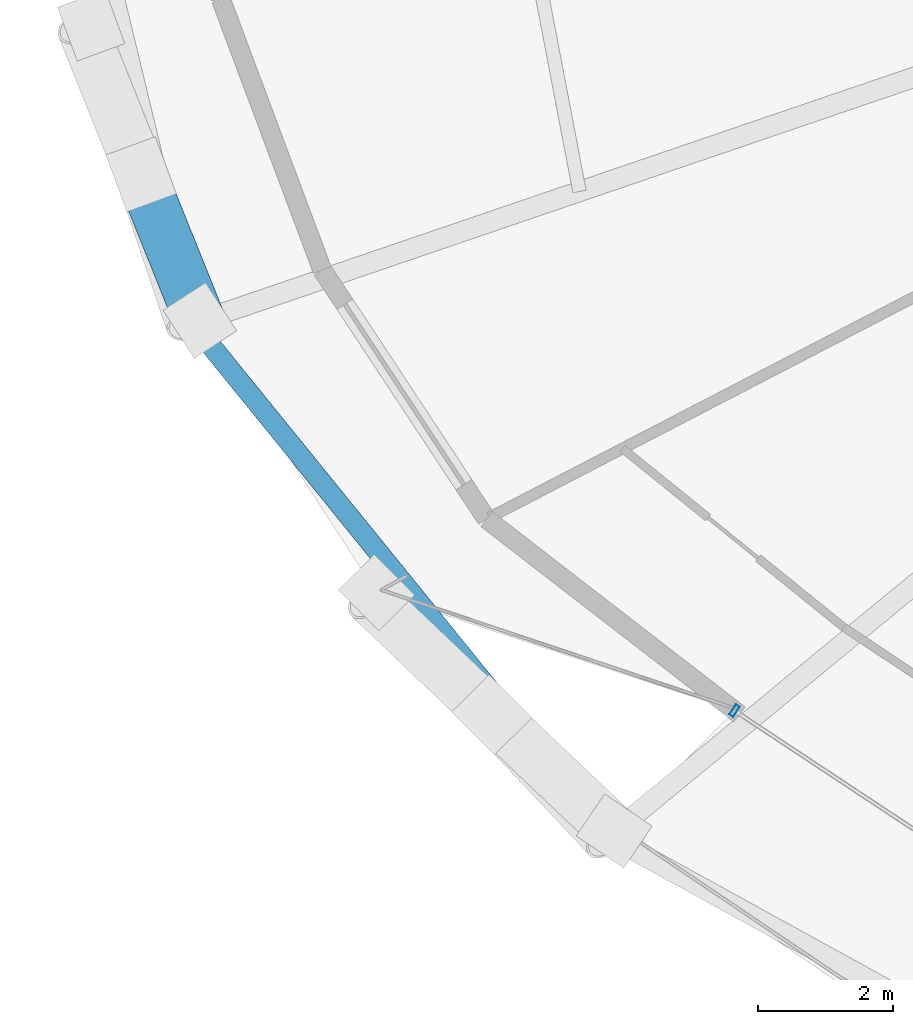
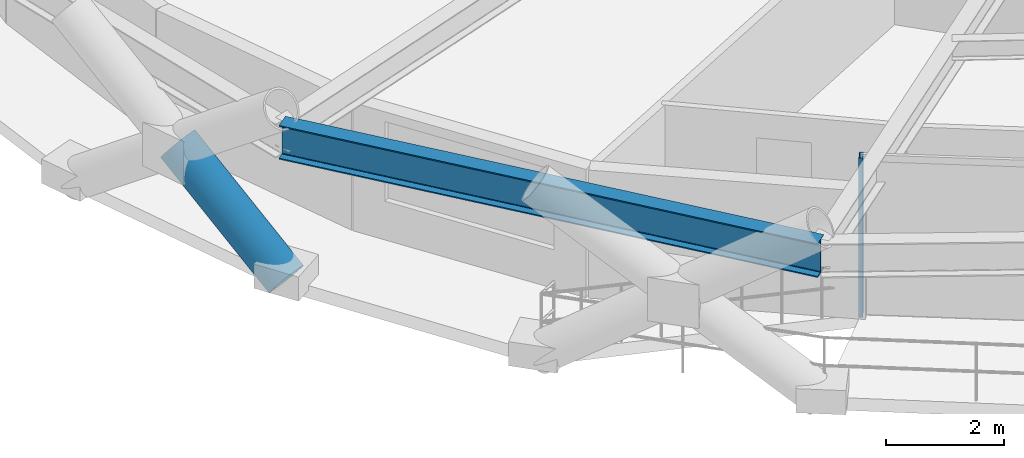
# One storey, part 2 of 20: 2 members, 1 beam, 1 element without a shape of its own.
"""IFC4 building model written with IfcOpenShell, lengths in metres."""

from ifc_helpers import new_model, si_unit, direction, frame, origin, origin_2d, place, context, subcontext, project, spatial, hollow_rectangle, hollow_circle, i_section, extrude, material, layer, layer_set, material_profile, profile_set, type_object, element, aggregate, save


model = new_model("IFC4")

# Units and contexts
model_context = context("Model", 3, precision=1e-05, world=origin(), true_north=direction((0.0, 1.0)))
body_context = subcontext(model_context, "Body", "Model", "MODEL_VIEW")
ifc_project = project(units=[si_unit("LENGTHUNIT", "METRE"), si_unit("AREAUNIT", "SQUARE_METRE"), si_unit("VOLUMEUNIT", "CUBIC_METRE"), si_unit("PLANEANGLEUNIT", "RADIAN"), si_unit("MASSUNIT", "GRAM", prefix="KILO")], contexts=[model_context])

# Site, building, storey
site_placement = place(None, origin())
site = spatial("IfcSite", under=ifc_project, at=site_placement, CompositionType="ELEMENT")
building_placement = place(site_placement, origin())
building = spatial("IfcBuilding", under=site, at=building_placement, Name="Veldorina Hangang Commons", CompositionType="ELEMENT")
storey_placement = place(building_placement, frame((0.0, 0.0, 48.39990234375)))
storey = spatial("IfcBuildingStorey", under=building, at=storey_placement, Name="L11", CompositionType="ELEMENT", Elevation=48.39990234375)

# Beam
ifc_material_1 = material(Name="Steel SM460-TMC", Category="steel")
ifc_material_profile_1 = material_profile(ifc_material_1, i_section(OverallWidth=0.300048828125, OverallDepth=0.699951171875, WebThickness=0.012939453125, FlangeThickness=0.02392578125, FilletRadius=0.02197265625, at=origin_2d()), Name="H-700x300x13x24")
ifc_profile_set_1 = profile_set([ifc_material_profile_1], Name="Steel SM460-TMC")
beam_type = type_object("IfcBeamType", Name="BM-RB700", PredefinedType="BEAM", material=ifc_profile_set_1)
beam_placement = place(storey_placement, frame((5.750732421875, 15.04052734375, 2.989990234375), z_axis=(0.629842263473, -0.776723067215, 0.0), x_axis=(0.776723067215, 0.629842263473, 0.0)))
element("IfcBeam", 1, at=beam_placement, inside=storey, type_object=beam_type, Name="L11 perimeter hoop ring beam 18", PredefinedType="BEAM", context=body_context, shape_type="SweptSolid", body=[
    extrude(i_section(OverallWidth=0.300048828125, OverallDepth=0.699951171875, WebThickness=0.012939453125, FlangeThickness=0.02392578125, FilletRadius=0.02197265625, at=origin_2d()), origin(), (0.0, 0.0, 1.0), 9.778564453125),
])

# Curtain wall, member
ifc_material_2 = material(Name="Glass Low-E Triple IGU", Category="glass")
ifc_layer = layer(ifc_material_2, 0.179931640625)
ifc_layer_set = layer_set([ifc_layer], Name="Glass Low-E Triple IGU")
curtain_wall_type = type_object("IfcCurtainWallType", Name="CW-SYS-Z1", PredefinedType="NOTDEFINED", material=ifc_layer_set)
curtain_wall_placement = place(storey_placement, origin())
curtain_wall = element("IfcCurtainWall", 2, at=curtain_wall_placement, inside=storey, type_object=curtain_wall_type, Name="L11 unitised curtain wall CW-L11-R1", PredefinedType="NOTDEFINED")
ifc_material_3 = material(Name="Aluminium Anodized AA6063-T6", Category="aluminium")
ifc_material_profile_2 = material_profile(ifc_material_3, hollow_rectangle(XDim=0.070068359375, YDim=0.179931640625, WallThickness=0.00390625, at=origin_2d()), Name="ALU-RHS-180x70x4")
ifc_profile_set_2 = profile_set([ifc_material_profile_2], Name="Aluminium Anodized AA6063-T6")
member_type_1 = type_object("IfcMemberType", Name="CW-MUL-180", PredefinedType="MULLION", material=ifc_profile_set_2)
member_1_placement = place(storey_placement, frame((13.772216796875, 9.3076171875, 0.0), z_axis=(0.0, 0.0, 1.0), x_axis=(0.834039919434, -0.551704098944, 0.0)))
member_1 = element("IfcMember", 3, at=member_1_placement, type_object=member_type_1, Name="CW-L11-R1 vertical mullion 1", PredefinedType="MULLION", context=body_context, shape_type="SweptSolid", body=[
    extrude(hollow_rectangle(XDim=0.070068359375, YDim=0.179931640625, WallThickness=0.00390625, at=origin_2d()), origin(), (0.0, 0.0, 1.0), 3.300048828125),
])
aggregate(curtain_wall, [member_1])

# Member
ifc_material_profile_3 = material_profile(ifc_material_1, hollow_circle(Radius=0.375, WallThickness=0.035888671875, at=origin_2d()), Name="CHS-750x36")
ifc_profile_set_3 = profile_set([ifc_material_profile_3], Name="Steel SM460-TMC")
member_type_2 = type_object("IfcMemberType", Name="DG-CHS750", PredefinedType="BRACE", material=ifc_profile_set_3)
member_2_placement = place(storey_placement, frame((5.856201171875, 15.084228515625, 0.0), z_axis=(-0.295780342588, 0.735429172531, 0.609637532579), x_axis=(-0.927775245987, -0.373139508675, 0.0)))
element("IfcMember", 4, at=member_2_placement, inside=storey, type_object=member_type_2, Name="L11 split perimeter diagrid lower brace 18", PredefinedType="BRACE", context=body_context, shape_type="SweptSolid", body=[
    extrude(hollow_circle(Radius=0.375, WallThickness=0.035888671875, at=origin_2d()), origin(), (0.0, 0.0, 1.0), 2.9443359375),
])

save(model, "model.ifc")
